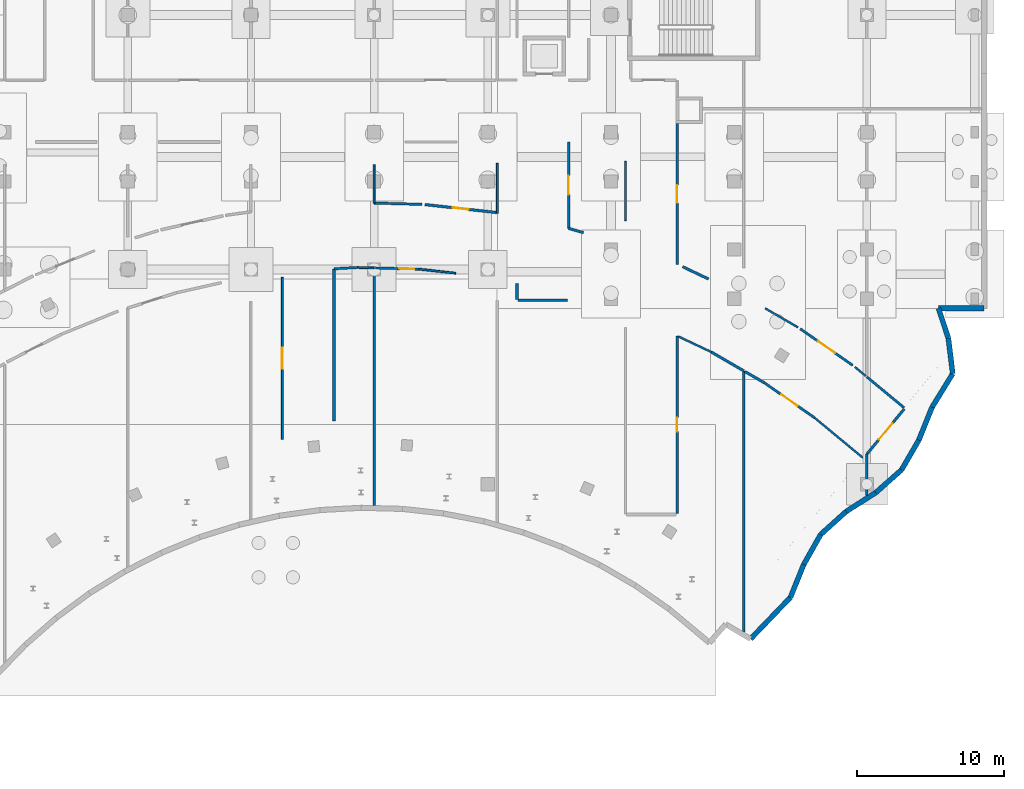
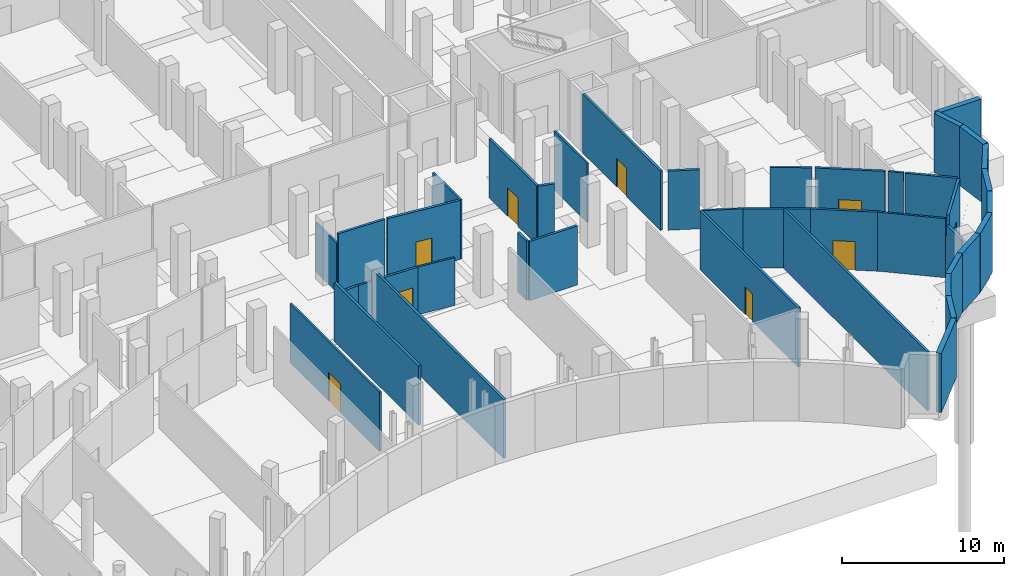
# One storey, part 36 of 45: 43 walls, 9 doors, 9 openings.
"""IFC4 building model written with IfcOpenShell, lengths in metres."""

from ifc_helpers import new_model, si_unit, direction, frame, frame_2d, origin, place, context, subcontext, project, spatial, rectangle, extrude, material, layer, layer_set, type_object, element, fill, save


model = new_model("IFC4")

# Units and contexts
model_context = context("Model", 3, precision=1e-05, world=origin(), true_north=direction((0.0, 1.0)))
body_context = subcontext(model_context, "Body", "Model", "MODEL_VIEW")
ifc_project = project(units=[si_unit("LENGTHUNIT", "METRE"), si_unit("AREAUNIT", "SQUARE_METRE"), si_unit("VOLUMEUNIT", "CUBIC_METRE"), si_unit("PLANEANGLEUNIT", "RADIAN"), si_unit("MASSUNIT", "GRAM", prefix="KILO")], contexts=[model_context])

# Site, building, storey
site_placement = place(None, origin())
site = spatial("IfcSite", under=ifc_project, at=site_placement, CompositionType="ELEMENT")
building_placement = place(site_placement, origin())
building = spatial("IfcBuilding", under=site, at=building_placement, Name="Selatvlak General Hospital", CompositionType="ELEMENT")
storey_placement = place(building_placement, frame((0.0, 0.0, -4.800048828125)))
storey = spatial("IfcBuildingStorey", under=building, at=storey_placement, Name="B1", CompositionType="ELEMENT", Elevation=-4.800048828125)

# Walls
ifc_material_1 = material(Name="Concrete C45/55", Category="concrete")
ifc_layer_1 = layer(ifc_material_1, 0.35009765625, Name="Concrete C45/55", Category="concrete")
ifc_layer_set_1 = layer_set([ifc_layer_1], Name="Concrete C45/55")
wall_type_1 = type_object("IfcWallType", Name="WALL-EW-05", PredefinedType="SHEAR", material=ifc_layer_set_1)
wall_1_placement = place(storey_placement, frame((182.0, 64.0009765625, 0.0), z_axis=(0.0, 0.0, 1.0), x_axis=(-0.999999950827, -0.000313602493, 0.0)))
element("IfcWall", 1, at=wall_1_placement, inside=storey, type_object=wall_type_1, Name="B1 retaining wall 0037", PredefinedType="SHEAR", context=body_context, shape_type="SweptSolid", body=[
    extrude(rectangle(XDim=3.114013671875, YDim=0.35009765625, at=frame_2d((1.55712890625, 0.0))), origin(), (0.0, 0.0, 1.0), 4.449951171875),
])
wall_2_placement = place(storey_placement, frame((178.885986328125, 64.0, 0.0), z_axis=(0.0, 0.0, 1.0), x_axis=(0.313408444172, -0.949618421852, 0.0)))
element("IfcWall", 2, at=wall_2_placement, inside=storey, type_object=wall_type_1, Name="B1 retaining wall 0038", PredefinedType="SHEAR", context=body_context, shape_type="SweptSolid", body=[
    extrude(rectangle(XDim=2.13134765625, YDim=0.35009765625, at=frame_2d((1.065673828125, 0.0))), origin(), (0.0, 0.0, 1.0), 4.449951171875),
])
wall_3_placement = place(storey_placement, frame((179.553955078125, 61.97607421875, 0.0), z_axis=(0.0, 0.0, 1.0), x_axis=(0.123422685037, -0.992354191213, 0.0)))
element("IfcWall", 3, at=wall_3_placement, inside=storey, type_object=wall_type_1, Name="B1 retaining wall 0039", PredefinedType="SHEAR", context=body_context, shape_type="SweptSolid", body=[
    extrude(rectangle(XDim=2.454833984375, YDim=0.35009765625, at=frame_2d((1.2275390625, 0.0))), origin(), (0.0, 0.0, 1.0), 4.449951171875),
])
wall_4_placement = place(storey_placement, frame((179.85693359375, 59.5400390625, 0.0), z_axis=(0.0, 0.0, 1.0), x_axis=(-0.524335661026, -0.85151166438, 0.0)))
element("IfcWall", 4, at=wall_4_placement, inside=storey, type_object=wall_type_1, Name="B1 retaining wall 0040", PredefinedType="SHEAR", context=body_context, shape_type="SweptSolid", body=[
    extrude(rectangle(XDim=2.68701171875, YDim=0.35009765625, at=frame_2d((1.343505859375, 0.0))), origin(), (0.0, 0.0, 1.0), 4.449951171875),
])
wall_5_placement = place(storey_placement, frame((178.447998046875, 57.251953125, 0.0), z_axis=(0.0, 0.0, 1.0), x_axis=(-0.374289796273, -0.927311785974, 0.0)))
element("IfcWall", 5, at=wall_5_placement, inside=storey, type_object=wall_type_1, Name="B1 retaining wall 0041", PredefinedType="SHEAR", context=body_context, shape_type="SweptSolid", body=[
    extrude(rectangle(XDim=2.423095703125, YDim=0.35009765625, at=frame_2d((1.21142578125, 0.0))), origin(), (0.0, 0.0, 1.0), 4.449951171875),
])
wall_6_placement = place(storey_placement, frame((177.541015625, 55.0048828125, 0.0), z_axis=(0.0, 0.0, 1.0), x_axis=(-0.501468170427, -0.865176094243, 0.0)))
element("IfcWall", 6, at=wall_6_placement, inside=storey, type_object=wall_type_1, Name="B1 retaining wall 0042", PredefinedType="SHEAR", context=body_context, shape_type="SweptSolid", body=[
    extrude(rectangle(XDim=2.33935546875, YDim=0.35009765625, at=frame_2d((1.169677734375, 0.0))), origin(), (0.0, 0.0, 1.0), 4.449951171875),
])
wall_7_placement = place(storey_placement, frame((176.367919921875, 52.98095703125, 0.0), z_axis=(0.0, 0.0, 1.0), x_axis=(-0.751020365123, -0.660279040384, 0.0)))
element("IfcWall", 7, at=wall_7_placement, inside=storey, type_object=wall_type_1, Name="B1 retaining wall 0043", PredefinedType="SHEAR", context=body_context, shape_type="SweptSolid", body=[
    extrude(rectangle(XDim=2.33544921875, YDim=0.35009765625, at=frame_2d((1.167724609375, 0.0))), origin(), (0.0, 0.0, 1.0), 4.449951171875),
])
wall_8_placement = place(storey_placement, frame((174.614013671875, 51.43896484375, 0.0), z_axis=(0.0, 0.0, 1.0), x_axis=(-0.841667225263, -0.53999655732, 0.0)))
element("IfcWall", 8, at=wall_8_placement, inside=storey, type_object=wall_type_1, Name="B1 retaining wall 0044", PredefinedType="SHEAR", context=body_context, shape_type="SweptSolid", body=[
    extrude(rectangle(XDim=2.41650390625, YDim=0.35009765625, at=frame_2d((1.208251953125, 0.0))), origin(), (0.0, 0.0, 1.0), 4.449951171875),
])
wall_9_placement = place(storey_placement, frame((172.580078125, 50.134033203125, 0.0), z_axis=(0.0, 0.0, 1.0), x_axis=(-0.742489879853, -0.66985728205, 0.0)))
element("IfcWall", 9, at=wall_9_placement, inside=storey, type_object=wall_type_1, Name="B1 retaining wall 0045", PredefinedType="SHEAR", context=body_context, shape_type="SweptSolid", body=[
    extrude(rectangle(XDim=2.325927734375, YDim=0.35009765625, at=frame_2d((1.1630859375, 0.0))), origin(), (0.0, 0.0, 1.0), 4.449951171875),
])
wall_10_placement = place(storey_placement, frame((170.85302734375, 48.575927734375, 0.0), z_axis=(0.0, 0.0, 1.0), x_axis=(-0.492115475054, -0.870529930107, 0.0)))
element("IfcWall", 10, at=wall_10_placement, inside=storey, type_object=wall_type_1, Name="B1 retaining wall 0046", PredefinedType="SHEAR", context=body_context, shape_type="SweptSolid", body=[
    extrude(rectangle(XDim=2.34912109375, YDim=0.35009765625, at=frame_2d((1.174560546875, 0.0))), origin(), (0.0, 0.0, 1.0), 4.449951171875),
])
wall_11_placement = place(storey_placement, frame((169.697021484375, 46.531005859375, 0.0), z_axis=(0.0, 0.0, 1.0), x_axis=(-0.374429720213, -0.927255296356, 0.0)))
element("IfcWall", 11, at=wall_11_placement, inside=storey, type_object=wall_type_1, Name="B1 retaining wall 0047", PredefinedType="SHEAR", context=body_context, shape_type="SweptSolid", body=[
    extrude(rectangle(XDim=2.42236328125, YDim=0.35009765625, at=frame_2d((1.211181640625, 0.0))), origin(), (0.0, 0.0, 1.0), 4.449951171875),
])
wall_12_placement = place(storey_placement, frame((168.7900390625, 44.284912109375, 0.0), z_axis=(0.0, 0.0, 1.0), x_axis=(-0.692999521626, -0.72093804382, 0.0)))
element("IfcWall", 12, at=wall_12_placement, inside=storey, type_object=wall_type_1, Name="B1 retaining wall 0048", PredefinedType="SHEAR", context=body_context, shape_type="SweptSolid", body=[
    extrude(rectangle(XDim=3.932373046875, YDim=0.35009765625, at=frame_2d((1.96630859375, 0.0))), origin(), (0.0, 0.0, 1.0), 4.449951171875),
])
ifc_material_2 = material(Name="Acoustic gypsum stud partition")
ifc_layer_2 = layer(ifc_material_2, 0.179931640625, Name="Acoustic gypsum stud partition")
ifc_layer_set_2 = layer_set([ifc_layer_2], Name="Acoustic gypsum stud partition")
wall_type_2 = type_object("IfcWallType", Name="WALL-PT-01", PredefinedType="PARTITIONING", material=ifc_layer_set_2)
wall_13_placement = place(storey_placement, frame((137.659912109375, 56.303955078125, 0.0), z_axis=(0.0, 0.0, 1.0), x_axis=(0.0, 1.0, 0.0)))
element("IfcWall", 13, at=wall_13_placement, inside=storey, type_object=wall_type_2, Name="B1 clinical partition PT-B1-0180", PredefinedType="PARTITIONING", context=body_context, shape_type="SweptSolid", body=[
    extrude(rectangle(XDim=10.38916015625, YDim=0.179931640625, at=frame_2d((5.194580078125, 0.0))), origin(), (0.0, 0.0, 1.0), 4.449951171875),
])
wall_14_placement = place(storey_placement, frame((140.39990234375, 66.7529296875, 0.0), z_axis=(0.0, 0.0, 1.0), x_axis=(0.0, -1.0, 0.0)))
element("IfcWall", 14, at=wall_14_placement, inside=storey, type_object=wall_type_2, Name="B1 clinical partition PT-B1-0183", PredefinedType="PARTITIONING", context=body_context, shape_type="SweptSolid", body=[
    extrude(rectangle(XDim=16.2080078125, YDim=0.179931640625, at=frame_2d((8.10400390625, 0.0))), origin(), (0.0, 0.0, 1.0), 4.449951171875),
])

# Wall, opening, door
wall_15_placement = place(storey_placement, frame((148.737060546875, 70.531005859375, 0.0), z_axis=(0.0, 0.0, 1.0), x_axis=(-0.993908575841, 0.110207725998, 0.0)))
wall_15 = element("IfcWall", 15, at=wall_15_placement, inside=storey, type_object=wall_type_2, Name="B1 clinical partition PT-B1-0189", PredefinedType="PARTITIONING", context=body_context, shape_type="SweptSolid", body=[
    extrude(rectangle(XDim=4.908935546875, YDim=0.179931640625, at=frame_2d((2.45458984375, 0.0))), origin(), (0.0, 0.0, 1.0), 4.449951171875),
])
opening_1_placement = place(wall_15_placement, frame((1.904052734375, 0.0, 0.0)))
opening_1 = element("IfcOpeningElement", 16, at=opening_1_placement, cuts=wall_15, Name="Opening D-22", PredefinedType="OPENING", context=body_context, shape_type="SweptSolid", body=[
    extrude(rectangle(XDim=1.10009765625, YDim=2.14990234375, at=frame_2d((0.550048828125, 1.074951171875))), frame((0.0, 0.099853515625, 0.0), z_axis=(0.0, -1.0, 0.0), x_axis=(1.0, 0.0, 0.0)), (0.0, 0.0, 1.0), 0.199951171875),
])
ifc_material_3 = material(Name="Pharmacy security fire door")
door_type_1 = type_object("IfcDoorType", Name="DOOR-D-22", OperationType="NOTDEFINED", PredefinedType="DOOR", material=ifc_material_3)
door_1_placement = place(opening_1_placement, origin())
door_1 = element("IfcDoor", 17, at=door_1_placement, inside=storey, type_object=door_type_1, Name="B1 Standard Underground Car Park Bay Zone 38 door", OperationType="SINGLE_SWING_LEFT", OverallHeight=2.14990234375, OverallWidth=1.10009765625, PredefinedType="DOOR", context=body_context, shape_type="SweptSolid", body=[
    extrude(rectangle(XDim=1.10009765625, YDim=2.14990234375, at=frame_2d((0.550048828125, 1.074951171875))), frame((0.0, 0.02490234375, 0.0), z_axis=(0.0, -1.0, 0.0), x_axis=(1.0, 0.0, 0.0)), (0.0, 0.0, 1.0), 0.050048828125),
])
fill(opening_1, door_1)

# Walls
wall_16_placement = place(storey_placement, frame((150.139892578125, 65.695068359375, 0.0), z_axis=(0.0, 0.0, 1.0), x_axis=(0.0, -1.0, 0.0)))
element("IfcWall", 18, at=wall_16_placement, inside=storey, type_object=wall_type_2, Name="B1 clinical partition PT-B1-0192", PredefinedType="PARTITIONING", context=body_context, shape_type="SweptSolid", body=[
    extrude(rectangle(XDim=1.094970703125, YDim=0.179931640625, at=frame_2d((0.54736328125, 0.0))), origin(), (0.0, 0.0, 1.0), 4.449951171875),
])
wall_17_placement = place(storey_placement, frame((163.39990234375, 61.011962890625, 0.0), z_axis=(0.0, 0.0, 1.0), x_axis=(0.865071180383, -0.501649133231, 0.0)))
element("IfcWall", 19, at=wall_17_placement, inside=storey, type_object=wall_type_2, Name="B1 clinical partition PT-B1-0198", PredefinedType="PARTITIONING", context=body_context, shape_type="SweptSolid", body=[
    extrude(rectangle(XDim=2.54345703125, YDim=0.179931640625, at=frame_2d((1.271728515625, 0.0))), origin(), (0.0, 0.0, 1.0), 4.449951171875),
])
wall_18_placement = place(storey_placement, frame((163.200927734375, 65.9970703125, 0.0), z_axis=(0.0, 0.0, 1.0), x_axis=(-0.903658874167, 0.428253008325, 0.0)))
element("IfcWall", 20, at=wall_18_placement, inside=storey, type_object=wall_type_2, Name="B1 clinical partition PT-B1-0200", PredefinedType="PARTITIONING", context=body_context, shape_type="SweptSolid", body=[
    extrude(rectangle(XDim=1.951904296875, YDim=0.179931640625, at=frame_2d((0.97607421875, 0.0))), origin(), (0.0, 0.0, 1.0), 4.449951171875),
])
wall_19_placement = place(storey_placement, frame((154.672119140625, 69.159912109375, 0.0), z_axis=(0.0, 0.0, 1.0), x_axis=(-0.962047568244, 0.272881799386, 0.0)))
element("IfcWall", 21, at=wall_19_placement, inside=storey, type_object=wall_type_2, Name="B1 clinical partition PT-B1-0205", PredefinedType="PARTITIONING", context=body_context, shape_type="SweptSolid", body=[
    extrude(rectangle(XDim=1.05224609375, YDim=0.179931640625, at=frame_2d((0.526123046875, 0.0))), origin(), (0.0, 0.0, 1.0), 4.449951171875),
])
wall_20_placement = place(storey_placement, frame((165.677978515625, 59.68994140625, 0.0), z_axis=(0.0, 0.0, 1.0), x_axis=(0.865201820635, -0.501423782413, 0.0)))
element("IfcWall", 22, at=wall_20_placement, inside=storey, type_object=wall_type_2, Name="B1 clinical partition PT-B1-0207", PredefinedType="PARTITIONING", context=body_context, shape_type="SweptSolid", body=[
    extrude(rectangle(XDim=1.53955078125, YDim=0.179931640625, at=frame_2d((0.769775390625, 0.0))), origin(), (0.0, 0.0, 1.0), 4.449951171875),
])
wall_21_placement = place(storey_placement, frame((174.0, 54.05810546875, 0.0), z_axis=(0.0, 0.0, 1.0), x_axis=(0.0, -1.0, 0.0)))
element("IfcWall", 23, at=wall_21_placement, inside=storey, type_object=wall_type_2, Name="B1 clinical partition PT-B1-0210", PredefinedType="PARTITIONING", context=body_context, shape_type="SweptSolid", body=[
    extrude(rectangle(XDim=2.80908203125, YDim=0.179931640625, at=frame_2d((1.404541015625, 0.0))), origin(), (0.0, 0.0, 1.0), 3.699951171875),
])

# Wall, opening, door
wall_22_placement = place(storey_placement, frame((174.0, 54.05810546875, 0.0), z_axis=(0.0, 0.0, 1.0), x_axis=(0.637732910726, 0.770257576773, 0.0)))
wall_22 = element("IfcWall", 24, at=wall_22_placement, inside=storey, type_object=wall_type_2, Name="B1 clinical partition PT-B1-0216", PredefinedType="PARTITIONING", context=body_context, shape_type="SweptSolid", body=[
    extrude(rectangle(XDim=3.9921875, YDim=0.179931640625, at=frame_2d((1.99609375, 0.0))), origin(), (0.0, 0.0, 1.0), 4.449951171875),
])
opening_2_placement = place(wall_22_placement, frame((1.27099609375, 0.0, 0.0)))
opening_2 = element("IfcOpeningElement", 25, at=opening_2_placement, cuts=wall_22, Name="Opening D-12", PredefinedType="OPENING", context=body_context, shape_type="SweptSolid", body=[
    extrude(rectangle(XDim=1.449951171875, YDim=2.14990234375, at=frame_2d((0.72509765625, 1.074951171875))), frame((0.0, 0.099853515625, 0.0), z_axis=(0.0, -1.0, 0.0), x_axis=(1.0, 0.0, 0.0)), (0.0, 0.0, 1.0), 0.199951171875),
])
ifc_material_4 = material(Name="Isolation anteroom door")
door_type_2 = type_object("IfcDoorType", Name="DOOR-D-12", OperationType="NOTDEFINED", PredefinedType="DOOR", material=ifc_material_4)
door_2_placement = place(opening_2_placement, origin())
door_2 = element("IfcDoor", 26, at=door_2_placement, inside=storey, type_object=door_type_2, Name="B1 Central Chiller Plant 44 door", OperationType="SINGLE_SWING_LEFT", OverallHeight=2.14990234375, OverallWidth=1.449951171875, PredefinedType="DOOR", context=body_context, shape_type="SweptSolid", body=[
    extrude(rectangle(XDim=1.449951171875, YDim=2.14990234375, at=frame_2d((0.72509765625, 1.074951171875))), frame((0.0, 0.02490234375, 0.0), z_axis=(0.0, -1.0, 0.0), x_axis=(1.0, 0.0, 0.0)), (0.0, 0.0, 1.0), 0.050048828125),
])
fill(opening_2, door_2)

# Wall
ifc_layer_3 = layer(ifc_material_2, 0.1650390625, Name="Acoustic gypsum stud partition")
ifc_layer_set_3 = layer_set([ifc_layer_3], Name="Acoustic gypsum stud partition")
wall_type_3 = type_object("IfcWallType", Name="WALL-PT-02", PredefinedType="PARTITIONING", material=ifc_layer_set_3)
wall_23_placement = place(storey_placement, frame((137.659912109375, 66.693115234375, 0.0), z_axis=(0.0, 0.0, 1.0), x_axis=(0.998484643385, 0.055031054181, 0.0)))
element("IfcWall", 27, at=wall_23_placement, inside=storey, type_object=wall_type_3, Name="B1 clinical partition PT-B1-0181", PredefinedType="PARTITIONING", context=body_context, shape_type="SweptSolid", body=[
    extrude(rectangle(XDim=1.632568359375, YDim=0.1650390625, at=frame_2d((0.81640625, 0.0))), origin(), (0.0, 0.0, 1.0), 3.60009765625),
])

# Wall, opening, door
wall_24_placement = place(storey_placement, frame((140.486083984375, 66.7509765625, 0.0), z_axis=(0.0, 0.0, 1.0), x_axis=(0.999611444096, -0.02787401714, 0.0)))
wall_24 = element("IfcWall", 28, at=wall_24_placement, inside=storey, type_object=wall_type_3, Name="B1 clinical partition PT-B1-0184", PredefinedType="PARTITIONING", context=body_context, shape_type="SweptSolid", body=[
    extrude(rectangle(XDim=2.97802734375, YDim=0.1650390625, at=frame_2d((1.489013671875, 0.0))), origin(), (0.0, 0.0, 1.0), 3.60009765625),
])
opening_3_placement = place(wall_24_placement, frame((1.64404296875, 0.0, 0.0)))
opening_3 = element("IfcOpeningElement", 29, at=opening_3_placement, cuts=wall_24, Name="Opening D-21", PredefinedType="OPENING", context=body_context, shape_type="SweptSolid", body=[
    extrude(rectangle(XDim=1.0, YDim=2.14990234375, at=frame_2d((0.5, 1.074951171875))), frame((0.0, 0.092529296875, 0.0), z_axis=(0.0, -1.0, 0.0), x_axis=(1.0, 0.0, 0.0)), (0.0, 0.0, 1.0), 0.18505859375),
])
ifc_material_5 = material(Name="Laboratory fire door")
door_type_3 = type_object("IfcDoorType", Name="DOOR-D-21", OperationType="NOTDEFINED", PredefinedType="DOOR", material=ifc_material_5)
door_3_placement = place(opening_3_placement, origin())
door_3 = element("IfcDoor", 30, at=door_3_placement, inside=storey, type_object=door_type_3, Name="B1 Two-Way Underground Loop Car Park Aisle 37 door", OperationType="SINGLE_SWING_RIGHT", OverallHeight=2.14990234375, OverallWidth=1.0, PredefinedType="DOOR", context=body_context, shape_type="SweptSolid", body=[
    extrude(rectangle(XDim=1.0, YDim=2.14990234375, at=frame_2d((0.5, 1.074951171875))), frame((0.0, 0.02490234375, 0.0), z_axis=(0.0, -1.0, 0.0), x_axis=(1.0, 0.0, 0.0)), (0.0, 0.0, 1.0), 0.050048828125),
])
fill(opening_3, door_3)

# Walls
wall_25_placement = place(storey_placement, frame((143.676025390625, 71.083984375, 0.0), z_axis=(0.0, 0.0, 1.0), x_axis=(-0.999622135389, 0.02748793263, 0.0)))
element("IfcWall", 31, at=wall_25_placement, inside=storey, type_object=wall_type_3, Name="B1 clinical partition PT-B1-0190", PredefinedType="PARTITIONING", context=body_context, shape_type="SweptSolid", body=[
    extrude(rectangle(XDim=3.27734375, YDim=0.1650390625, at=frame_2d((1.638671875, 0.0))), origin(), (0.0, 0.0, 1.0), 4.449951171875),
])
wall_26_placement = place(storey_placement, frame((150.199951171875, 64.5400390625, 0.0), z_axis=(0.0, 0.0, 1.0), x_axis=(1.0, 0.0, 0.0)))
element("IfcWall", 32, at=wall_26_placement, inside=storey, type_object=wall_type_3, Name="B1 clinical partition PT-B1-0193", PredefinedType="PARTITIONING", context=body_context, shape_type="SweptSolid", body=[
    extrude(rectangle(XDim=3.400146484375, YDim=0.1650390625, at=frame_2d((1.7001953125, 0.0))), origin(), (0.0, 0.0, 1.0), 4.449951171875),
])

# Wall, opening, door
wall_27_placement = place(storey_placement, frame((161.06005859375, 50.0, 0.0), z_axis=(0.0, 0.0, 1.0), x_axis=(0.0, 1.0, 0.0)))
wall_27 = element("IfcWall", 33, at=wall_27_placement, inside=storey, type_object=wall_type_3, Name="B1 clinical partition PT-B1-0196", PredefinedType="PARTITIONING", context=body_context, shape_type="SweptSolid", body=[
    extrude(rectangle(XDim=12.12109375, YDim=0.1650390625, at=frame_2d((6.060546875, 0.0))), origin(), (0.0, 0.0, 1.0), 4.449951171875),
])
opening_4_placement = place(wall_27_placement, frame((5.5859375, 0.0, 0.0)))
opening_4 = element("IfcOpeningElement", 34, at=opening_4_placement, cuts=wall_27, Name="Opening D-02", PredefinedType="OPENING", context=body_context, shape_type="SweptSolid", body=[
    extrude(rectangle(XDim=0.949951171875, YDim=2.10009765625, at=frame_2d((0.47509765625, 1.050048828125))), frame((0.0, 0.092529296875, 0.0), z_axis=(0.0, -1.0, 0.0), x_axis=(1.0, 0.0, 0.0)), (0.0, 0.0, 1.0), 0.18505859375),
])
ifc_material_6 = material(Name="Moisture-resistant en-suite door")
door_type_4 = type_object("IfcDoorType", Name="DOOR-D-02", OperationType="NOTDEFINED", PredefinedType="DOOR", material=ifc_material_6)
door_4_placement = place(opening_4_placement, origin())
door_4 = element("IfcDoor", 35, at=door_4_placement, inside=storey, type_object=door_type_4, Name="B1 Biomedical Supply Store 39 door", OperationType="SINGLE_SWING_RIGHT", OverallHeight=2.10009765625, OverallWidth=0.949951171875, PredefinedType="DOOR", context=body_context, shape_type="SweptSolid", body=[
    extrude(rectangle(XDim=0.949951171875, YDim=2.10009765625, at=frame_2d((0.47509765625, 1.050048828125))), frame((0.0, 0.02490234375, 0.0), z_axis=(0.0, -1.0, 0.0), x_axis=(1.0, 0.0, 0.0)), (0.0, 0.0, 1.0), 0.050048828125),
])
fill(opening_4, door_4)

# Wall
wall_28_placement = place(storey_placement, frame((165.60009765625, 59.736083984375, 0.0), z_axis=(0.0, 0.0, 1.0), x_axis=(0.0, -1.0, 0.0)))
element("IfcWall", 36, at=wall_28_placement, inside=storey, type_object=wall_type_3, Name="B1 clinical partition PT-B1-0199", PredefinedType="PARTITIONING", context=body_context, shape_type="SweptSolid", body=[
    extrude(rectangle(XDim=17.81103515625, YDim=0.1650390625, at=frame_2d((8.905517578125, 0.0))), origin(), (0.0, 0.0, 1.0), 4.449951171875),
])

# Wall, opening, door
wall_29_placement = place(storey_placement, frame((161.06005859375, 66.98291015625, 0.0), z_axis=(0.0, 0.0, 1.0), x_axis=(0.0, 1.0, 0.0)))
wall_29 = element("IfcWall", 37, at=wall_29_placement, inside=storey, type_object=wall_type_3, Name="B1 clinical partition PT-B1-0201", PredefinedType="PARTITIONING", context=body_context, shape_type="SweptSolid", body=[
    extrude(rectangle(XDim=9.6201171875, YDim=0.1650390625, at=frame_2d((4.81005859375, 0.0))), origin(), (0.0, 0.0, 1.0), 4.449951171875),
])
opening_5_placement = place(wall_29_placement, frame((4.2099609375, 0.0, 0.0)))
opening_5 = element("IfcOpeningElement", 38, at=opening_5_placement, cuts=wall_29, Name="Opening D-07", PredefinedType="OPENING", context=body_context, shape_type="SweptSolid", body=[
    extrude(rectangle(XDim=1.199951171875, YDim=2.14990234375, at=frame_2d((0.60009765625, 1.074951171875))), frame((0.0, 0.092529296875, 0.0), z_axis=(0.0, -1.0, 0.0), x_axis=(1.0, 0.0, 0.0)), (0.0, 0.0, 1.0), 0.18505859375),
])
ifc_material_7 = material(Name="Plant and store fire door")
door_type_5 = type_object("IfcDoorType", Name="DOOR-D-07", OperationType="NOTDEFINED", PredefinedType="DOOR", material=ifc_material_7)
door_5_placement = place(opening_5_placement, origin())
door_5 = element("IfcDoor", 39, at=door_5_placement, inside=storey, type_object=door_type_5, Name="B1 Hospital Linen Laundry 40 door", OperationType="SINGLE_SWING_LEFT", OverallHeight=2.14990234375, OverallWidth=1.199951171875, PredefinedType="DOOR", context=body_context, shape_type="SweptSolid", body=[
    extrude(rectangle(XDim=1.199951171875, YDim=2.14990234375, at=frame_2d((0.60009765625, 1.074951171875))), frame((0.0, 0.02490234375, 0.0), z_axis=(0.0, -1.0, 0.0), x_axis=(1.0, 0.0, 0.0)), (0.0, 0.0, 1.0), 0.050048828125),
])
fill(opening_5, door_5)

wall_30_placement = place(storey_placement, frame((153.659912109375, 69.447021484375, 0.0), z_axis=(0.0, 0.0, 1.0), x_axis=(0.0, 1.0, 0.0)))
wall_30 = element("IfcWall", 40, at=wall_30_placement, inside=storey, type_object=wall_type_3, Name="B1 clinical partition PT-B1-0206", PredefinedType="PARTITIONING", context=body_context, shape_type="SweptSolid", body=[
    extrude(rectangle(XDim=5.89306640625, YDim=0.1650390625, at=frame_2d((2.946533203125, 0.0))), origin(), (0.0, 0.0, 1.0), 4.449951171875),
])
opening_6_placement = place(wall_30_placement, frame((2.297119140625, 0.0, 0.0)))
opening_6 = element("IfcOpeningElement", 41, at=opening_6_placement, cuts=wall_30, Name="Opening D-09", PredefinedType="OPENING", context=body_context, shape_type="SweptSolid", body=[
    extrude(rectangle(XDim=1.300048828125, YDim=2.14990234375, at=frame_2d((0.64990234375, 1.074951171875))), frame((0.0, 0.092529296875, 0.0), z_axis=(0.0, -1.0, 0.0), x_axis=(1.0, 0.0, 0.0)), (0.0, 0.0, 1.0), 0.18505859375),
])
ifc_material_8 = material(Name="Outpatient procedure door")
door_type_6 = type_object("IfcDoorType", Name="DOOR-D-09", OperationType="NOTDEFINED", PredefinedType="DOOR", material=ifc_material_8)
door_6_placement = place(opening_6_placement, origin())
door_6 = element("IfcDoor", 42, at=door_6_placement, inside=storey, type_object=door_type_6, Name="B1 Central Sterile Supply Department 41 door", OperationType="SINGLE_SWING_RIGHT", OverallHeight=2.14990234375, OverallWidth=1.300048828125, PredefinedType="DOOR", context=body_context, shape_type="SweptSolid", body=[
    extrude(rectangle(XDim=1.300048828125, YDim=2.14990234375, at=frame_2d((0.64990234375, 1.074951171875))), frame((0.0, 0.02490234375, 0.0), z_axis=(0.0, -1.0, 0.0), x_axis=(1.0, 0.0, 0.0)), (0.0, 0.0, 1.0), 0.050048828125),
])
fill(opening_6, door_6)

wall_31_placement = place(storey_placement, frame((167.010009765625, 58.91796875, 0.0), z_axis=(0.0, 0.0, 1.0), x_axis=(0.820562806153, -0.571556367437, 0.0)))
wall_31 = element("IfcWall", 43, at=wall_31_placement, inside=storey, type_object=wall_type_3, Name="B1 clinical partition PT-B1-0208", PredefinedType="PARTITIONING", context=body_context, shape_type="SweptSolid", body=[
    extrude(rectangle(XDim=4.1728515625, YDim=0.1650390625, at=frame_2d((2.08642578125, 0.0))), origin(), (0.0, 0.0, 1.0), 4.449951171875),
])
opening_7_placement = place(wall_31_placement, frame((1.410888671875, 0.0, 0.0)))
opening_7 = element("IfcOpeningElement", 44, at=opening_7_placement, cuts=wall_31, Name="Opening D-10", PredefinedType="OPENING", context=body_context, shape_type="SweptSolid", body=[
    extrude(rectangle(XDim=1.35009765625, YDim=2.14990234375, at=frame_2d((0.675048828125, 1.074951171875))), frame((0.0, 0.092529296875, 0.0), z_axis=(0.0, -1.0, 0.0), x_axis=(1.0, 0.0, 0.0)), (0.0, 0.0, 1.0), 0.18505859375),
])
ifc_material_9 = material(Name="Single patient bed door")
door_type_7 = type_object("IfcDoorType", Name="DOOR-D-10", OperationType="NOTDEFINED", PredefinedType="DOOR", material=ifc_material_9)
door_7_placement = place(opening_7_placement, origin())
door_7 = element("IfcDoor", 45, at=door_7_placement, inside=storey, type_object=door_type_7, Name="B1 Biomedical Supply Store 42 door", OperationType="SINGLE_SWING_LEFT", OverallHeight=2.14990234375, OverallWidth=1.35009765625, PredefinedType="DOOR", context=body_context, shape_type="SweptSolid", body=[
    extrude(rectangle(XDim=1.35009765625, YDim=2.14990234375, at=frame_2d((0.675048828125, 1.074951171875))), frame((0.0, 0.02490234375, 0.0), z_axis=(0.0, -1.0, 0.0), x_axis=(1.0, 0.0, 0.0)), (0.0, 0.0, 1.0), 0.050048828125),
])
fill(opening_7, door_7)

wall_32_placement = place(storey_placement, frame((173.035888671875, 60.10693359375, 0.0), z_axis=(0.0, 0.0, 1.0), x_axis=(-0.820574971601, 0.571538901547, 0.0)))
wall_32 = element("IfcWall", 46, at=wall_32_placement, inside=storey, type_object=wall_type_3, Name="B1 clinical partition PT-B1-0211", PredefinedType="PARTITIONING", context=body_context, shape_type="SweptSolid", body=[
    extrude(rectangle(XDim=4.356689453125, YDim=0.1650390625, at=frame_2d((2.17822265625, 0.0))), origin(), (0.0, 0.0, 1.0), 4.449951171875),
])
opening_8_placement = place(wall_32_placement, frame((1.47802734375, 0.0, 0.0)))
opening_8 = element("IfcOpeningElement", 47, at=opening_8_placement, cuts=wall_32, Name="Opening D-11", PredefinedType="OPENING", context=body_context, shape_type="SweptSolid", body=[
    extrude(rectangle(XDim=1.39990234375, YDim=2.14990234375, at=frame_2d((0.699951171875, 1.074951171875))), frame((0.0, 0.092529296875, 0.0), z_axis=(0.0, -1.0, 0.0), x_axis=(1.0, 0.0, 0.0)), (0.0, 0.0, 1.0), 0.18505859375),
])
ifc_material_10 = material(Name="Inpatient suite bed door")
door_type_8 = type_object("IfcDoorType", Name="DOOR-D-11", OperationType="NOTDEFINED", PredefinedType="DOOR", material=ifc_material_10)
door_8_placement = place(opening_8_placement, origin())
door_8 = element("IfcDoor", 48, at=door_8_placement, inside=storey, type_object=door_type_8, Name="B1 Bulk Pharmacy Store 43 door", OperationType="SINGLE_SWING_RIGHT", OverallHeight=2.14990234375, OverallWidth=1.39990234375, PredefinedType="DOOR", context=body_context, shape_type="SweptSolid", body=[
    extrude(rectangle(XDim=1.39990234375, YDim=2.14990234375, at=frame_2d((0.699951171875, 1.074951171875))), frame((0.0, 0.02490234375, 0.0), z_axis=(0.0, -1.0, 0.0), x_axis=(1.0, 0.0, 0.0)), (0.0, 0.0, 1.0), 0.050048828125),
])
fill(opening_8, door_8)

# Wall
wall_33_placement = place(storey_placement, frame((176.5390625, 57.217041015625, 0.0), z_axis=(0.0, 0.0, 1.0), x_axis=(-0.770281407477, 0.637704126767, 0.0)))
element("IfcWall", 49, at=wall_33_placement, inside=storey, type_object=wall_type_3, Name="B1 clinical partition PT-B1-0217", PredefinedType="PARTITIONING", context=body_context, shape_type="SweptSolid", body=[
    extrude(rectangle(XDim=3.29638671875, YDim=0.1650390625, at=frame_2d((1.648193359375, 0.0))), origin(), (0.0, 0.0, 1.0), 4.449951171875),
])

# Wall, opening, door
ifc_material_11 = material(Name="Moisture-resistant clinical partition")
ifc_layer_4 = layer(ifc_material_11, 0.135009765625, Name="Moisture-resistant clinical partition")
ifc_layer_set_4 = layer_set([ifc_layer_4], Name="Moisture-resistant clinical partition")
wall_type_4 = type_object("IfcWallType", Name="WALL-PT-04", PredefinedType="PARTITIONING", material=ifc_layer_set_4)
wall_34_placement = place(storey_placement, frame((134.139892578125, 66.10888671875, 0.0), z_axis=(0.0, 0.0, 1.0), x_axis=(0.0, -1.0, 0.0)))
wall_34 = element("IfcWall", 50, at=wall_34_placement, inside=storey, type_object=wall_type_4, Name="B1 clinical partition PT-B1-0179", PredefinedType="PARTITIONING", context=body_context, shape_type="SweptSolid", body=[
    extrude(rectangle(XDim=11.0458984375, YDim=0.135009765625, at=frame_2d((5.52294921875, 0.0))), origin(), (0.0, 0.0, 1.0), 4.449951171875),
])
opening_9_placement = place(wall_34_placement, frame((4.798095703125, 0.0, 0.0)))
opening_9 = element("IfcOpeningElement", 51, at=opening_9_placement, cuts=wall_34, Name="Opening D-12", PredefinedType="OPENING", context=body_context, shape_type="SweptSolid", body=[
    extrude(rectangle(XDim=1.449951171875, YDim=2.14990234375, at=frame_2d((0.72509765625, 1.074951171875))), frame((0.0, 0.077392578125, 0.0), z_axis=(0.0, -1.0, 0.0), x_axis=(1.0, 0.0, 0.0)), (0.0, 0.0, 1.0), 0.155029296875),
])
door_9_placement = place(opening_9_placement, origin())
door_9 = element("IfcDoor", 52, at=door_9_placement, inside=storey, type_object=door_type_2, Name="B1 Biomedical Supply Store 36 door", OperationType="SINGLE_SWING_LEFT", OverallHeight=2.14990234375, OverallWidth=1.449951171875, PredefinedType="DOOR", context=body_context, shape_type="SweptSolid", body=[
    extrude(rectangle(XDim=1.449951171875, YDim=2.14990234375, at=frame_2d((0.72509765625, 1.074951171875))), frame((0.0, 0.02490234375, 0.0), z_axis=(0.0, -1.0, 0.0), x_axis=(1.0, 0.0, 0.0)), (0.0, 0.0, 1.0), 0.050048828125),
])
fill(opening_9, door_9)

# Walls
wall_35_placement = place(storey_placement, frame((139.2900390625, 66.782958984375, 0.0), z_axis=(0.0, 0.0, 1.0), x_axis=(0.999634166902, -0.027046854934, 0.0)))
element("IfcWall", 53, at=wall_35_placement, inside=storey, type_object=wall_type_4, Name="B1 clinical partition PT-B1-0182", PredefinedType="PARTITIONING", context=body_context, shape_type="SweptSolid", body=[
    extrude(rectangle(XDim=1.1103515625, YDim=0.135009765625, at=frame_2d((0.55517578125, 0.0))), origin(), (0.0, 0.0, 1.0), 3.60009765625),
])
wall_36_placement = place(storey_placement, frame((143.462890625, 66.66796875, 0.0), z_axis=(0.0, 0.0, 1.0), x_axis=(0.993938191899, -0.109940305095, 0.0)))
element("IfcWall", 54, at=wall_36_placement, inside=storey, type_object=wall_type_4, Name="B1 clinical partition PT-B1-0185", PredefinedType="PARTITIONING", context=body_context, shape_type="SweptSolid", body=[
    extrude(rectangle(XDim=2.50927734375, YDim=0.135009765625, at=frame_2d((1.254638671875, 0.0))), origin(), (0.0, 0.0, 1.0), 3.60009765625),
])
wall_37_placement = place(storey_placement, frame((148.800048828125, 73.887939453125, 0.0), z_axis=(0.0, 0.0, 1.0), x_axis=(0.0, -1.0, 0.0)))
element("IfcWall", 55, at=wall_37_placement, inside=storey, type_object=wall_type_4, Name="B1 clinical partition PT-B1-0188", PredefinedType="PARTITIONING", context=body_context, shape_type="SweptSolid", body=[
    extrude(rectangle(XDim=3.407958984375, YDim=0.135009765625, at=frame_2d((1.7041015625, 0.0))), origin(), (0.0, 0.0, 1.0), 4.449951171875),
])
wall_38_placement = place(storey_placement, frame((140.39990234375, 71.174072265625, 0.0), z_axis=(0.0, 0.0, 1.0), x_axis=(0.0, 1.0, 0.0)))
element("IfcWall", 56, at=wall_38_placement, inside=storey, type_object=wall_type_4, Name="B1 clinical partition PT-B1-0191", PredefinedType="PARTITIONING", context=body_context, shape_type="SweptSolid", body=[
    extrude(rectangle(XDim=2.615966796875, YDim=0.135009765625, at=frame_2d((1.30810546875, 0.0))), origin(), (0.0, 0.0, 1.0), 3.699951171875),
])
wall_39_placement = place(storey_placement, frame((161.137939453125, 62.083984375, 0.0), z_axis=(0.0, 0.0, 1.0), x_axis=(0.903650436863, -0.42827081147, 0.0)))
element("IfcWall", 57, at=wall_39_placement, inside=storey, type_object=wall_type_4, Name="B1 clinical partition PT-B1-0197", PredefinedType="PARTITIONING", context=body_context, shape_type="SweptSolid", body=[
    extrude(rectangle(XDim=2.503173828125, YDim=0.135009765625, at=frame_2d((1.25146484375, 0.0))), origin(), (0.0, 0.0, 1.0), 4.449951171875),
])
wall_40_placement = place(storey_placement, frame((170.43408203125, 56.532958984375, 0.0), z_axis=(0.0, 0.0, 1.0), x_axis=(0.770230438655, -0.637765686886, 0.0)))
element("IfcWall", 58, at=wall_40_placement, inside=storey, type_object=wall_type_4, Name="B1 clinical partition PT-B1-0209", PredefinedType="PARTITIONING", context=body_context, shape_type="SweptSolid", body=[
    extrude(rectangle(XDim=4.264892578125, YDim=0.135009765625, at=frame_2d((2.13232421875, 0.0))), origin(), (0.0, 0.0, 1.0), 4.449951171875),
])
wall_41_placement = place(storey_placement, frame((169.306884765625, 62.696044921875, 0.0), z_axis=(0.0, 0.0, 1.0), x_axis=(-0.86512994763, 0.501547778097, 0.0)))
element("IfcWall", 59, at=wall_41_placement, inside=storey, type_object=wall_type_4, Name="B1 clinical partition PT-B1-0212", PredefinedType="PARTITIONING", context=body_context, shape_type="SweptSolid", body=[
    extrude(rectangle(XDim=2.595947265625, YDim=0.135009765625, at=frame_2d((1.2978515625, 0.0))), origin(), (0.0, 0.0, 1.0), 4.449951171875),
])
wall_42_placement = place(storey_placement, frame((173.922119140625, 59.384033203125, 0.0), z_axis=(0.0, 0.0, 1.0), x_axis=(-0.770157255491, 0.637854059966, 0.0)))
element("IfcWall", 60, at=wall_42_placement, inside=storey, type_object=wall_type_4, Name="B1 clinical partition PT-B1-0215", PredefinedType="PARTITIONING", context=body_context, shape_type="SweptSolid", body=[
    extrude(rectangle(XDim=0.95947265625, YDim=0.135009765625, at=frame_2d((0.479736328125, 0.0))), origin(), (0.0, 0.0, 1.0), 4.449951171875),
])
ifc_layer_5 = layer(ifc_material_11, 0.1201171875, Name="Moisture-resistant clinical partition")
ifc_layer_set_5 = layer_set([ifc_layer_5], Name="Moisture-resistant clinical partition")
wall_type_5 = type_object("IfcWallType", Name="WALL-PT-05", PredefinedType="PARTITIONING", material=ifc_layer_set_5)
wall_43_placement = place(storey_placement, frame((157.5400390625, 74.02587890625, 0.0), z_axis=(0.0, 0.0, 1.0), x_axis=(0.0, -1.0, 0.0)))
element("IfcWall", 61, at=wall_43_placement, inside=storey, type_object=wall_type_5, Name="B1 clinical partition PT-B1-0204", PredefinedType="PARTITIONING", context=body_context, shape_type="SweptSolid", body=[
    extrude(rectangle(XDim=4.0517578125, YDim=0.1201171875, at=frame_2d((2.02587890625, 0.0))), origin(), (0.0, 0.0, 1.0), 4.449951171875),
])

save(model, "model.ifc")
